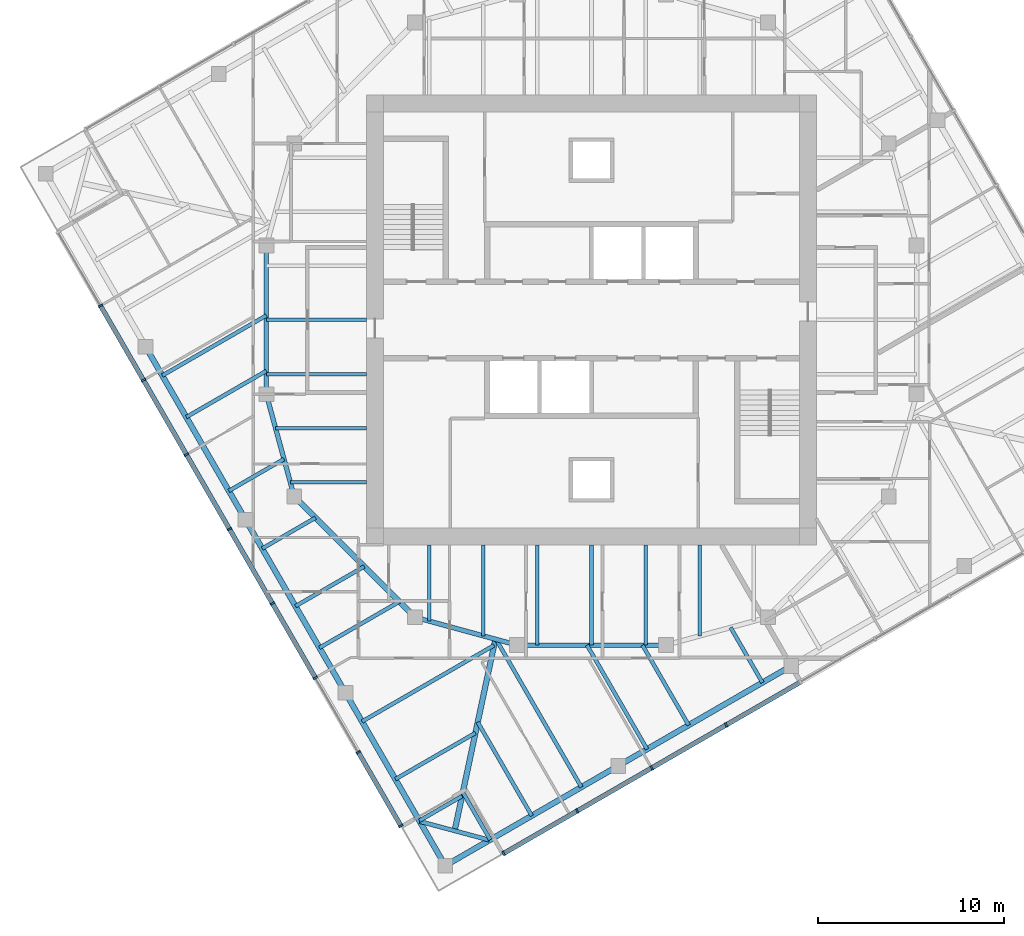
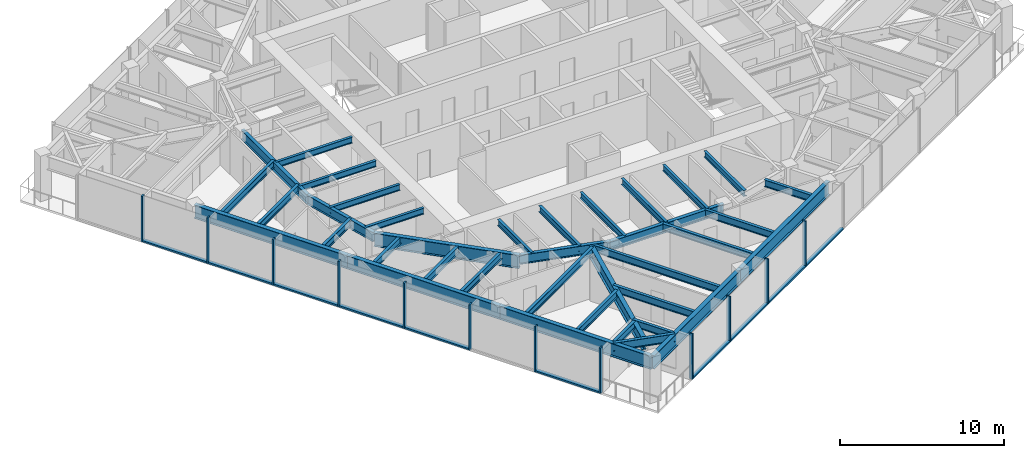
# One storey, part 2 of 13: 37 beams, 22 members, 2 elements without a shape of their own.
"""IFC4 building model written with IfcOpenShell, lengths in metres."""

from ifc_helpers import new_model, si_unit, direction, frame, origin, origin_2d, place, context, subcontext, project, spatial, rectangle, i_section, extrude, material, material_profile, profile_set, type_object, element, aggregate, save


model = new_model("IFC4")

# Units and contexts
model_context = context("Model", 3, precision=1e-05, world=origin(), true_north=direction((0.0, 1.0)))
body_context = subcontext(model_context, "Body", "Model", "MODEL_VIEW")
ifc_project = project(units=[si_unit("LENGTHUNIT", "METRE"), si_unit("AREAUNIT", "SQUARE_METRE"), si_unit("VOLUMEUNIT", "CUBIC_METRE"), si_unit("PLANEANGLEUNIT", "RADIAN"), si_unit("MASSUNIT", "GRAM", prefix="KILO")], contexts=[model_context])

# Site, building, storey
site_placement = place(None, origin())
site = spatial("IfcSite", under=ifc_project, at=site_placement, CompositionType="ELEMENT")
building_placement = place(site_placement, origin())
building = spatial("IfcBuilding", under=site, at=building_placement, Name="Torsade Residences", CompositionType="ELEMENT")
storey_placement = place(building_placement, frame((0.0, 0.0, 228.60009765625)))
storey = spatial("IfcBuildingStorey", under=building, at=storey_placement, Name="L63", CompositionType="ELEMENT", Elevation=228.60009765625)

# Beams
ifc_material_1 = material(Name="Steel grade 300", Category="steel")
ifc_material_profile_1 = material_profile(ifc_material_1, i_section(OverallWidth=0.300048828125, OverallDepth=0.89990234375, WebThickness=0.011962890625, FlangeThickness=0.02490234375, at=origin_2d()), Name="900WB175")
ifc_profile_set_1 = profile_set([ifc_material_profile_1], Name="Steel grade 300")
beam_type_1 = type_object("IfcBeamType", Name="CORNER GIRDER 900WB175", PredefinedType="BEAM", material=ifc_profile_set_1)
beam_1_placement = place(storey_placement, frame((32.6337890625, 2.5087890625, 2.7998046875), z_axis=(0.20806427425, 0.978115155685, 0.0), x_axis=(-0.978115155685, 0.20806427425, 0.0)))
element("IfcBeam", 1, at=beam_1_placement, inside=storey, type_object=beam_type_1, Name="Corner girder 01 L64", PredefinedType="BEAM", context=body_context, shape_type="SweptSolid", body=[
    extrude(i_section(OverallWidth=0.300048828125, OverallDepth=0.89990234375, WebThickness=0.011962890625, FlangeThickness=0.02490234375, at=origin_2d()), origin(), (0.0, 0.0, 1.0), 10.541748046875),
])
ifc_material_2 = material(Name="Steel grade 300", Category="steel")
ifc_material_profile_2 = material_profile(ifc_material_2, i_section(OverallWidth=0.22802734375, OverallDepth=0.60205078125, WebThickness=0.010498046875, FlangeThickness=0.014892578125, FilletRadius=0.013916015625, at=origin_2d()), Name="610UB101")
ifc_profile_set_2 = profile_set([ifc_material_profile_2], Name="Steel grade 300")
beam_type_2 = type_object("IfcBeamType", Name="CORNER TRIMMER 610UB101", PredefinedType="BEAM", material=ifc_profile_set_2)
beam_2_placement = place(storey_placement, frame((34.511962890625, 2.00537109375, 2.948974609375), z_axis=(-0.965924794002, 0.258822897619, 0.0), x_axis=(-0.258822897619, -0.965924794002, 0.0)))
element("IfcBeam", 2, at=beam_2_placement, inside=storey, type_object=beam_type_2, Name="Corner trimmer 01 L64", PredefinedType="BEAM", context=body_context, shape_type="SweptSolid", body=[
    extrude(i_section(OverallWidth=0.22802734375, OverallDepth=0.60205078125, WebThickness=0.010498046875, FlangeThickness=0.014892578125, FilletRadius=0.013916015625, at=origin_2d()), origin(), (0.0, 0.0, 1.0), 3.88916015625),
])
ifc_material_3 = material(Name="Steel grade 300", Category="steel")
ifc_material_profile_3 = material_profile(ifc_material_3, i_section(OverallWidth=0.300048828125, OverallDepth=1.0, WebThickness=0.01611328125, FlangeThickness=0.028076171875, at=origin_2d()), Name="1000WB215")
ifc_profile_set_3 = profile_set([ifc_material_profile_3], Name="Steel grade 300")
beam_type_3 = type_object("IfcBeamType", Name="EDGE BEAM 1000WB215", PredefinedType="SPANDREL", material=ifc_profile_set_3)
for number, where, z_axis, x_axis, name in (
    (3, (32.13037109375, 0.63037109375, 2.75), (0.866026365697, 0.499998333915, 0.0), (-0.499998333915, 0.866026365697, 0.0), "Edge beam 01 L64"),
    (4, (41.440185546875, 6.00537109375, 2.75), (0.866026365697, 0.499998333915, 0.0), (-0.499998333915, 0.866026365697, 0.0), "Edge beam 02 L64"),
    (5, (16.00537109375, 28.559814453125, 2.75), (0.499998333915, -0.866026365697, 0.0), (0.866026365697, 0.499998333915, 0.0), "Edge beam 14 L64"),
    (6, (21.38037109375, 19.25, 2.75), (0.499998333915, -0.866026365697, 0.0), (0.866026365697, 0.499998333915, 0.0), "Edge beam 15 L64"),
    (7, (26.75537109375, 9.940185546875, 2.75), (0.499998333915, -0.866026365697, 0.0), (0.866026365697, 0.499998333915, 0.0), "Edge beam 16 L64"),
):
    element("IfcBeam", number, at=place(storey_placement, frame(where, z_axis=z_axis, x_axis=x_axis)), inside=storey, type_object=beam_type_3, Name=name, PredefinedType="SPANDREL", context=body_context, shape_type="SweptSolid", body=[
        extrude(i_section(OverallWidth=0.300048828125, OverallDepth=1.0, WebThickness=0.01611328125, FlangeThickness=0.028076171875, at=origin_2d()), origin(), (0.0, 0.0, 1.0), 10.75),
    ])

# Curtain wall, members
ifc_material_4 = material(Name="Aluminium and glass", Category="aluminium")
curtain_wall_type = type_object("IfcCurtainWallType", Name="FRITTED GLASS CURTAIN WALL HIGH ZONE", PredefinedType="NOTDEFINED", material=ifc_material_4)
curtain_wall_1_placement = place(storey_placement, origin())
curtain_wall_1 = element("IfcCurtainWall", 8, at=curtain_wall_1_placement, inside=storey, type_object=curtain_wall_type, Name="Curtain wall L63 face 1", PredefinedType="NOTDEFINED")
ifc_material_5 = material(Name="Aluminium mullion", Category="aluminium")
ifc_material_profile_4 = material_profile(ifc_material_5, rectangle(XDim=0.25, YDim=0.10009765625, at=origin_2d()), Name="HIGH ZONE CURTAIN WALL MULLION 250x100")
ifc_profile_set_4 = profile_set([ifc_material_profile_4], Name="Aluminium mullion")
member_type_1 = type_object("IfcMemberType", Name="HIGH ZONE CURTAIN WALL MULLION 250x100", PredefinedType="MULLION", material=ifc_profile_set_4)
member_1_placement = place(storey_placement, frame((35.271728515625, 1.289306640625, 0.0), z_axis=(0.0, 0.0, 1.0), x_axis=(-0.499999999305, 0.866025404186, 0.0)))
member_1 = element("IfcMember", 9, at=member_1_placement, type_object=member_type_1, Name="Mullion 1", PredefinedType="MULLION", context=body_context, shape_type="SweptSolid", body=[
    extrude(rectangle(XDim=0.25, YDim=0.10009765625, at=origin_2d()), origin(), (0.0, 0.0, 1.0), 3.39990234375),
])
member_2_placement = place(storey_placement, frame((39.23388671875, 3.576904296875, 0.0), z_axis=(0.0, 0.0, 1.0), x_axis=(-0.499999999305, 0.866025404186, 0.0)))
member_2 = element("IfcMember", 10, at=member_2_placement, type_object=member_type_1, Name="Mullion 2", PredefinedType="MULLION", context=body_context, shape_type="SweptSolid", body=[
    extrude(rectangle(XDim=0.25, YDim=0.10009765625, at=origin_2d()), origin(), (0.0, 0.0, 1.0), 3.39990234375),
])
member_3_placement = place(storey_placement, frame((43.2392578125, 5.889404296875, 0.0), z_axis=(0.0, 0.0, 1.0), x_axis=(-0.499999999305, 0.866025404186, 0.0)))
member_3 = element("IfcMember", 11, at=member_3_placement, type_object=member_type_1, Name="Mullion 3", PredefinedType="MULLION", context=body_context, shape_type="SweptSolid", body=[
    extrude(rectangle(XDim=0.25, YDim=0.10009765625, at=origin_2d()), origin(), (0.0, 0.0, 1.0), 3.39990234375),
])
member_4_placement = place(storey_placement, frame((47.24462890625, 8.201904296875, 0.0), z_axis=(0.0, 0.0, 1.0), x_axis=(-0.499999999305, 0.866025404186, 0.0)))
member_4 = element("IfcMember", 12, at=member_4_placement, type_object=member_type_1, Name="Mullion 4", PredefinedType="MULLION", context=body_context, shape_type="SweptSolid", body=[
    extrude(rectangle(XDim=0.25, YDim=0.10009765625, at=origin_2d()), origin(), (0.0, 0.0, 1.0), 3.39990234375),
])

curtain_wall_2_placement = place(storey_placement, origin())
curtain_wall_2 = element("IfcCurtainWall", 13, at=curtain_wall_2_placement, inside=storey, type_object=curtain_wall_type, Name="Curtain wall L63 face 10", PredefinedType="NOTDEFINED")
member_5_placement = place(storey_placement, frame((13.576904296875, 30.76611328125, 0.0), z_axis=(0.0, 0.0, 1.0), x_axis=(0.866025404186, 0.499999999305, 0.0)))
member_5 = element("IfcMember", 14, at=member_5_placement, type_object=member_type_1, Name="Mullion 2", PredefinedType="MULLION", context=body_context, shape_type="SweptSolid", body=[
    extrude(rectangle(XDim=0.25, YDim=0.10009765625, at=origin_2d()), origin(), (0.0, 0.0, 1.0), 3.39990234375),
])
member_6_placement = place(storey_placement, frame((15.889404296875, 26.7607421875, 0.0), z_axis=(0.0, 0.0, 1.0), x_axis=(0.866025404186, 0.499999999305, 0.0)))
member_6 = element("IfcMember", 15, at=member_6_placement, type_object=member_type_1, Name="Mullion 3", PredefinedType="MULLION", context=body_context, shape_type="SweptSolid", body=[
    extrude(rectangle(XDim=0.25, YDim=0.10009765625, at=origin_2d()), origin(), (0.0, 0.0, 1.0), 3.39990234375),
])
member_7_placement = place(storey_placement, frame((18.201904296875, 22.75537109375, 0.0), z_axis=(0.0, 0.0, 1.0), x_axis=(0.866025404186, 0.499999999305, 0.0)))
member_7 = element("IfcMember", 16, at=member_7_placement, type_object=member_type_1, Name="Mullion 4", PredefinedType="MULLION", context=body_context, shape_type="SweptSolid", body=[
    extrude(rectangle(XDim=0.25, YDim=0.10009765625, at=origin_2d()), origin(), (0.0, 0.0, 1.0), 3.39990234375),
])
member_8_placement = place(storey_placement, frame((20.514404296875, 18.75, 0.0), z_axis=(0.0, 0.0, 1.0), x_axis=(0.866025404186, 0.499999999305, 0.0)))
member_8 = element("IfcMember", 17, at=member_8_placement, type_object=member_type_1, Name="Mullion 5", PredefinedType="MULLION", context=body_context, shape_type="SweptSolid", body=[
    extrude(rectangle(XDim=0.25, YDim=0.10009765625, at=origin_2d()), origin(), (0.0, 0.0, 1.0), 3.39990234375),
])
member_9_placement = place(storey_placement, frame((22.826904296875, 14.74462890625, 0.0), z_axis=(0.0, 0.0, 1.0), x_axis=(0.866025404186, 0.499999999305, 0.0)))
member_9 = element("IfcMember", 18, at=member_9_placement, type_object=member_type_1, Name="Mullion 6", PredefinedType="MULLION", context=body_context, shape_type="SweptSolid", body=[
    extrude(rectangle(XDim=0.25, YDim=0.10009765625, at=origin_2d()), origin(), (0.0, 0.0, 1.0), 3.39990234375),
])
member_10_placement = place(storey_placement, frame((25.139404296875, 10.7392578125, 0.0), z_axis=(0.0, 0.0, 1.0), x_axis=(0.866025404186, 0.499999999305, 0.0)))
member_10 = element("IfcMember", 19, at=member_10_placement, type_object=member_type_1, Name="Mullion 7", PredefinedType="MULLION", context=body_context, shape_type="SweptSolid", body=[
    extrude(rectangle(XDim=0.25, YDim=0.10009765625, at=origin_2d()), origin(), (0.0, 0.0, 1.0), 3.39990234375),
])
member_11_placement = place(storey_placement, frame((27.451904296875, 6.73388671875, 0.0), z_axis=(0.0, 0.0, 1.0), x_axis=(0.866025404186, 0.499999999305, 0.0)))
member_11 = element("IfcMember", 20, at=member_11_placement, type_object=member_type_1, Name="Mullion 8", PredefinedType="MULLION", context=body_context, shape_type="SweptSolid", body=[
    extrude(rectangle(XDim=0.25, YDim=0.10009765625, at=origin_2d()), origin(), (0.0, 0.0, 1.0), 3.39990234375),
])
member_12_placement = place(storey_placement, frame((29.739501953125, 2.771728515625, 0.0), z_axis=(0.0, 0.0, 1.0), x_axis=(0.866025404186, 0.499999999305, 0.0)))
member_12 = element("IfcMember", 21, at=member_12_placement, type_object=member_type_1, Name="Mullion 9", PredefinedType="MULLION", context=body_context, shape_type="SweptSolid", body=[
    extrude(rectangle(XDim=0.25, YDim=0.10009765625, at=origin_2d()), origin(), (0.0, 0.0, 1.0), 3.39990234375),
])

# Member
ifc_material_6 = material(Name="Aluminium transom", Category="aluminium")
ifc_material_profile_5 = material_profile(ifc_material_6, rectangle(XDim=0.25, YDim=0.1201171875, at=origin_2d()), Name="HIGH ZONE CURTAIN WALL TRANSOM 250x120")
ifc_profile_set_5 = profile_set([ifc_material_profile_5], Name="Aluminium transom")
member_type_2 = type_object("IfcMemberType", Name="HIGH ZONE CURTAIN WALL TRANSOM 250x120", PredefinedType="USERDEFINED", material=ifc_profile_set_5)
member_13_placement = place(storey_placement, frame((35.315185546875, 1.314453125, 0.059814453125), z_axis=(0.866022053326, 0.50000580312, 0.0), x_axis=(-0.50000580312, 0.866022053326, 0.0)))
member_13 = element("IfcMember", 22, at=member_13_placement, type_object=member_type_2, Name="Transom 1.1", ObjectType="TRANSOM", PredefinedType="USERDEFINED", context=body_context, shape_type="SweptSolid", body=[
    extrude(rectangle(XDim=0.25, YDim=0.1201171875, at=origin_2d()), origin(), (0.0, 0.0, 1.0), 4.47509765625),
])

member_14_placement = place(storey_placement, frame((39.277099609375, 3.601806640625, 0.059814453125), z_axis=(0.866016678684, 0.500015112013, 0.0), x_axis=(-0.500015112013, 0.866016678684, 0.0)))
member_14 = element("IfcMember", 23, at=member_14_placement, type_object=member_type_2, Name="Transom 2.1", ObjectType="TRANSOM", PredefinedType="USERDEFINED", context=body_context, shape_type="SweptSolid", body=[
    extrude(rectangle(XDim=0.25, YDim=0.1201171875, at=origin_2d()), origin(), (0.0, 0.0, 1.0), 4.525146484375),
])

member_15_placement = place(storey_placement, frame((43.282470703125, 5.914306640625, 0.059814453125), z_axis=(0.866016678684, 0.500015112013, 0.0), x_axis=(-0.500015112013, 0.866016678684, 0.0)))
member_15 = element("IfcMember", 24, at=member_15_placement, type_object=member_type_2, Name="Transom 3.1", ObjectType="TRANSOM", PredefinedType="USERDEFINED", context=body_context, shape_type="SweptSolid", body=[
    extrude(rectangle(XDim=0.25, YDim=0.1201171875, at=origin_2d()), origin(), (0.0, 0.0, 1.0), 4.525146484375),
])

member_16_placement = place(storey_placement, frame((47.287841796875, 8.226806640625, 0.059814453125), z_axis=(0.866016678684, 0.500015112013, 0.0), x_axis=(-0.500015112013, 0.866016678684, 0.0)))
member_16 = element("IfcMember", 25, at=member_16_placement, type_object=member_type_2, Name="Transom 4.1", ObjectType="TRANSOM", PredefinedType="USERDEFINED", context=body_context, shape_type="SweptSolid", body=[
    extrude(rectangle(XDim=0.25, YDim=0.1201171875, at=origin_2d()), origin(), (0.0, 0.0, 1.0), 4.525146484375),
])

aggregate(curtain_wall_1, [member_1, member_2, member_3, member_4, member_13, member_14, member_15, member_16])

member_17_placement = place(storey_placement, frame((13.601806640625, 30.722900390625, 0.059814453125), z_axis=(0.500015112013, -0.866016678684, 0.0), x_axis=(0.866016678684, 0.500015112013, 0.0)))
member_17 = element("IfcMember", 26, at=member_17_placement, type_object=member_type_2, Name="Transom 2.1", ObjectType="TRANSOM", PredefinedType="USERDEFINED", context=body_context, shape_type="SweptSolid", body=[
    extrude(rectangle(XDim=0.25, YDim=0.1201171875, at=origin_2d()), origin(), (0.0, 0.0, 1.0), 4.525146484375),
])

member_18_placement = place(storey_placement, frame((15.914306640625, 26.717529296875, 0.059814453125), z_axis=(0.500015112013, -0.866016678684, 0.0), x_axis=(0.866016678684, 0.500015112013, 0.0)))
member_18 = element("IfcMember", 27, at=member_18_placement, type_object=member_type_2, Name="Transom 3.1", ObjectType="TRANSOM", PredefinedType="USERDEFINED", context=body_context, shape_type="SweptSolid", body=[
    extrude(rectangle(XDim=0.25, YDim=0.1201171875, at=origin_2d()), origin(), (0.0, 0.0, 1.0), 4.525146484375),
])

member_19_placement = place(storey_placement, frame((18.226806640625, 22.712158203125, 0.059814453125), z_axis=(0.500015112013, -0.866016678684, 0.0), x_axis=(0.866016678684, 0.500015112013, 0.0)))
member_19 = element("IfcMember", 28, at=member_19_placement, type_object=member_type_2, Name="Transom 4.1", ObjectType="TRANSOM", PredefinedType="USERDEFINED", context=body_context, shape_type="SweptSolid", body=[
    extrude(rectangle(XDim=0.25, YDim=0.1201171875, at=origin_2d()), origin(), (0.0, 0.0, 1.0), 4.525146484375),
])

member_20_placement = place(storey_placement, frame((20.539306640625, 18.706787109375, 0.059814453125), z_axis=(0.500015112013, -0.866016678684, 0.0), x_axis=(0.866016678684, 0.500015112013, 0.0)))
member_20 = element("IfcMember", 29, at=member_20_placement, type_object=member_type_2, Name="Transom 5.1", ObjectType="TRANSOM", PredefinedType="USERDEFINED", context=body_context, shape_type="SweptSolid", body=[
    extrude(rectangle(XDim=0.25, YDim=0.1201171875, at=origin_2d()), origin(), (0.0, 0.0, 1.0), 4.525146484375),
])

member_21_placement = place(storey_placement, frame((22.851806640625, 14.701416015625, 0.059814453125), z_axis=(0.500015112013, -0.866016678684, 0.0), x_axis=(0.866016678684, 0.500015112013, 0.0)))
member_21 = element("IfcMember", 30, at=member_21_placement, type_object=member_type_2, Name="Transom 6.1", ObjectType="TRANSOM", PredefinedType="USERDEFINED", context=body_context, shape_type="SweptSolid", body=[
    extrude(rectangle(XDim=0.25, YDim=0.1201171875, at=origin_2d()), origin(), (0.0, 0.0, 1.0), 4.525146484375),
])

member_22_placement = place(storey_placement, frame((27.476806640625, 6.690673828125, 0.059814453125), z_axis=(0.50000580312, -0.866022053326, 0.0), x_axis=(0.866022053326, 0.50000580312, 0.0)))
member_22 = element("IfcMember", 31, at=member_22_placement, type_object=member_type_2, Name="Transom 8.1", ObjectType="TRANSOM", PredefinedType="USERDEFINED", context=body_context, shape_type="SweptSolid", body=[
    extrude(rectangle(XDim=0.25, YDim=0.1201171875, at=origin_2d()), origin(), (0.0, 0.0, 1.0), 4.47509765625),
])

aggregate(curtain_wall_2, [member_5, member_6, member_7, member_8, member_9, member_10, member_11, member_12, member_17, member_18, member_19, member_20, member_21, member_22])

# Beams
ifc_material_7 = material(Name="Steel grade 300", Category="steel")
ifc_material_profile_6 = material_profile(ifc_material_7, i_section(OverallWidth=0.18994140625, OverallDepth=0.4541015625, WebThickness=0.008544921875, FlangeThickness=0.0126953125, FilletRadius=0.011474609375, at=origin_2d()), Name="460UB67.1")
ifc_profile_set_6 = profile_set([ifc_material_profile_6], Name="Steel grade 300")
beam_type_4 = type_object("IfcBeamType", Name="INNER FLOOR BEAM 460UB67.1", PredefinedType="JOIST", material=ifc_profile_set_6)
beam_3_placement = place(storey_placement, frame((45.824951171875, 17.89990234375, 3.02294921875), z_axis=(0.0, -1.0, 0.0), x_axis=(1.0, 0.0, 0.0)))
element("IfcBeam", 32, at=beam_3_placement, inside=storey, type_object=beam_type_4, Name="Inner floor beam IS02 L64", PredefinedType="JOIST", context=body_context, shape_type="SweptSolid", body=[
    extrude(i_section(OverallWidth=0.18994140625, OverallDepth=0.4541015625, WebThickness=0.008544921875, FlangeThickness=0.0126953125, FilletRadius=0.011474609375, at=origin_2d()), origin(), (0.0, 0.0, 1.0), 4.902099609375),
])
for number, where, z_axis, x_axis, name in (
    (33, (42.91259765625, 17.89990234375, 3.02294921875), (0.0, -1.0, 0.0), (1.0, 0.0, 0.0), "Inner floor beam IS03 L64"),
    (34, (40.0, 17.89990234375, 3.02294921875), (0.0, -1.0, 0.0), (1.0, 0.0, 0.0), "Inner floor beam IS04 L64"),
    (35, (37.08740234375, 17.89990234375, 3.02294921875), (0.0, -1.0, 0.0), (1.0, 0.0, 0.0), "Inner floor beam IS05 L64"),
):
    element("IfcBeam", number, at=place(storey_placement, frame(where, z_axis=z_axis, x_axis=x_axis)), inside=storey, type_object=beam_type_4, Name=name, PredefinedType="JOIST", context=body_context, shape_type="SweptSolid", body=[
        extrude(i_section(OverallWidth=0.18994140625, OverallDepth=0.4541015625, WebThickness=0.008544921875, FlangeThickness=0.0126953125, FilletRadius=0.011474609375, at=origin_2d()), origin(), (0.0, 0.0, 1.0), 5.39990234375),
    ])
beam_4_placement = place(storey_placement, frame((34.175048828125, 17.89990234375, 3.02294921875), z_axis=(0.0, -1.0, 0.0), x_axis=(1.0, 0.0, 0.0)))
element("IfcBeam", 36, at=beam_4_placement, inside=storey, type_object=beam_type_4, Name="Inner floor beam IS06 L64", PredefinedType="JOIST", context=body_context, shape_type="SweptSolid", body=[
    extrude(i_section(OverallWidth=0.18994140625, OverallDepth=0.4541015625, WebThickness=0.008544921875, FlangeThickness=0.0126953125, FilletRadius=0.011474609375, at=origin_2d()), origin(), (0.0, 0.0, 1.0), 4.902099609375),
])
beam_5_placement = place(storey_placement, frame((31.262451171875, 17.89990234375, 3.02294921875), z_axis=(0.0, -1.0, 0.0), x_axis=(1.0, 0.0, 0.0)))
element("IfcBeam", 37, at=beam_5_placement, inside=storey, type_object=beam_type_4, Name="Inner floor beam IS07 L64", PredefinedType="JOIST", context=body_context, shape_type="SweptSolid", body=[
    extrude(i_section(OverallWidth=0.18994140625, OverallDepth=0.4541015625, WebThickness=0.008544921875, FlangeThickness=0.0126953125, FilletRadius=0.011474609375, at=origin_2d()), origin(), (0.0, 0.0, 1.0), 4.10791015625),
])
for number, where, z_axis, x_axis, name in (
    (38, (27.89990234375, 30.0, 3.02294921875), (-1.0, 0.0, 0.0), (0.0, -1.0, 0.0), "Inner floor beam IW04 L64"),
    (39, (27.89990234375, 27.08740234375, 3.02294921875), (-1.0, 0.0, 0.0), (0.0, -1.0, 0.0), "Inner floor beam IW05 L64"),
):
    element("IfcBeam", number, at=place(storey_placement, frame(where, z_axis=z_axis, x_axis=x_axis)), inside=storey, type_object=beam_type_4, Name=name, PredefinedType="JOIST", context=body_context, shape_type="SweptSolid", body=[
        extrude(i_section(OverallWidth=0.18994140625, OverallDepth=0.4541015625, WebThickness=0.008544921875, FlangeThickness=0.0126953125, FilletRadius=0.011474609375, at=origin_2d()), origin(), (0.0, 0.0, 1.0), 5.39990234375),
    ])
beam_6_placement = place(storey_placement, frame((27.89990234375, 24.175048828125, 3.02294921875), z_axis=(-1.0, 0.0, 0.0), x_axis=(0.0, -1.0, 0.0)))
element("IfcBeam", 40, at=beam_6_placement, inside=storey, type_object=beam_type_4, Name="Inner floor beam IW06 L64", PredefinedType="JOIST", context=body_context, shape_type="SweptSolid", body=[
    extrude(i_section(OverallWidth=0.18994140625, OverallDepth=0.4541015625, WebThickness=0.008544921875, FlangeThickness=0.0126953125, FilletRadius=0.011474609375, at=origin_2d()), origin(), (0.0, 0.0, 1.0), 4.902099609375),
])
beam_7_placement = place(storey_placement, frame((27.89990234375, 21.262451171875, 3.02294921875), z_axis=(-1.0, 0.0, 0.0), x_axis=(0.0, -1.0, 0.0)))
element("IfcBeam", 41, at=beam_7_placement, inside=storey, type_object=beam_type_4, Name="Inner floor beam IW07 L64", PredefinedType="JOIST", context=body_context, shape_type="SweptSolid", body=[
    extrude(i_section(OverallWidth=0.18994140625, OverallDepth=0.4541015625, WebThickness=0.008544921875, FlangeThickness=0.0126953125, FilletRadius=0.011474609375, at=origin_2d()), origin(), (0.0, 0.0, 1.0), 4.10791015625),
])
ifc_material_8 = material(Name="Steel grade 300", Category="steel")
ifc_material_profile_7 = material_profile(ifc_material_8, i_section(OverallWidth=0.300048828125, OverallDepth=1.0, WebThickness=0.01611328125, FlangeThickness=0.028076171875, at=origin_2d()), Name="1000WB215")
ifc_profile_set_7 = profile_set([ifc_material_profile_7], Name="Steel grade 300")
beam_type_5 = type_object("IfcBeamType", Name="RING CORNER GIRDER 1000WB215", PredefinedType="BEAM", material=ifc_profile_set_7)
beam_8_placement = place(storey_placement, frame((24.0, 20.5, 2.75), z_axis=(0.707106781187, -0.707106781187, 0.0), x_axis=(0.707106781187, 0.707106781187, 0.0)))
element("IfcBeam", 42, at=beam_8_placement, inside=storey, type_object=beam_type_5, Name="Ring girder IR11 L64", PredefinedType="BEAM", context=body_context, shape_type="SweptSolid", body=[
    extrude(i_section(OverallWidth=0.300048828125, OverallDepth=1.0, WebThickness=0.01611328125, FlangeThickness=0.028076171875, at=origin_2d()), origin(), (0.0, 0.0, 1.0), 9.1923828125),
])
ifc_material_9 = material(Name="Steel grade 300", Category="steel")
ifc_material_profile_8 = material_profile(ifc_material_9, i_section(OverallWidth=0.25, OverallDepth=0.699951171875, WebThickness=0.010009765625, FlangeThickness=0.02001953125, at=origin_2d()), Name="700WB130")
ifc_profile_set_8 = profile_set([ifc_material_profile_8], Name="Steel grade 300")
beam_type_6 = type_object("IfcBeamType", Name="RING GIRDER 700WB130", PredefinedType="BEAM", material=ifc_profile_set_8)
beam_9_placement = place(storey_placement, frame((22.5, 34.0, 2.89990234375), z_axis=(0.0, -1.0, 0.0), x_axis=(1.0, 0.0, 0.0)))
element("IfcBeam", 43, at=beam_9_placement, inside=storey, type_object=beam_type_6, Name="Ring girder IR09 L64", PredefinedType="BEAM", context=body_context, shape_type="SweptSolid", body=[
    extrude(i_section(OverallWidth=0.25, OverallDepth=0.699951171875, WebThickness=0.010009765625, FlangeThickness=0.02001953125, at=origin_2d()), origin(), (0.0, 0.0, 1.0), 8.0),
])
for number, where, z_axis, x_axis, name in (
    (44, (22.5, 26.0, 2.89990234375), (0.263117405792, -0.964763821238, 0.0), (0.964763821238, 0.263117405792, 0.0), "Ring girder IR10 L64"),
    (45, (30.5, 14.0, 2.89990234375), (0.964763821238, -0.263117405792, 0.0), (0.263117405792, 0.964763821238, 0.0), "Ring girder IR12 L64"),
):
    element("IfcBeam", number, at=place(storey_placement, frame(where, z_axis=z_axis, x_axis=x_axis)), inside=storey, type_object=beam_type_6, Name=name, PredefinedType="BEAM", context=body_context, shape_type="SweptSolid", body=[
        extrude(i_section(OverallWidth=0.25, OverallDepth=0.699951171875, WebThickness=0.010009765625, FlangeThickness=0.02001953125, at=origin_2d()), origin(), (0.0, 0.0, 1.0), 5.700927734375),
    ])
beam_10_placement = place(storey_placement, frame((36.0, 12.5, 2.89990234375), z_axis=(1.0, 0.0, 0.0), x_axis=(0.0, 1.0, 0.0)))
element("IfcBeam", 46, at=beam_10_placement, inside=storey, type_object=beam_type_6, Name="Ring girder IR13 L64", PredefinedType="BEAM", context=body_context, shape_type="SweptSolid", body=[
    extrude(i_section(OverallWidth=0.25, OverallDepth=0.699951171875, WebThickness=0.010009765625, FlangeThickness=0.02001953125, at=origin_2d()), origin(), (0.0, 0.0, 1.0), 8.0),
])
ifc_material_10 = material(Name="Steel grade 300", Category="steel")
ifc_material_profile_9 = material_profile(ifc_material_10, i_section(OverallWidth=0.208984375, OverallDepth=0.528076171875, WebThickness=0.009521484375, FlangeThickness=0.01318359375, FilletRadius=0.013916015625, at=origin_2d()), Name="530UB82.0")
ifc_profile_set_9 = profile_set([ifc_material_profile_9], Name="Steel grade 300")
beam_type_7 = type_object("IfcBeamType", Name="SECONDARY BEAM 530UB82.0", PredefinedType="JOIST", material=ifc_profile_set_9)
beam_11_placement = place(storey_placement, frame((34.548095703125, 2.0263671875, 2.98583984375), z_axis=(-0.500014013, 0.866017313224, 0.0), x_axis=(-0.866017313224, -0.500014013, 0.0)))
element("IfcBeam", 47, at=beam_11_placement, inside=storey, type_object=beam_type_7, Name="Floor beam FS01 L64", PredefinedType="JOIST", context=body_context, shape_type="SweptSolid", body=[
    extrude(i_section(OverallWidth=0.208984375, OverallDepth=0.528076171875, WebThickness=0.009521484375, FlangeThickness=0.01318359375, FilletRadius=0.013916015625, at=origin_2d()), origin(), (0.0, 0.0, 1.0), 2.94775390625),
])
beam_12_placement = place(storey_placement, frame((36.785400390625, 3.31787109375, 2.98583984375), z_axis=(-0.499990133118, 0.866031100357, 0.0), x_axis=(-0.866031100357, -0.499990133118, 0.0)))
element("IfcBeam", 48, at=beam_12_placement, inside=storey, type_object=beam_type_7, Name="Floor beam FS02 L64", PredefinedType="JOIST", context=body_context, shape_type="SweptSolid", body=[
    extrude(i_section(OverallWidth=0.208984375, OverallDepth=0.528076171875, WebThickness=0.009521484375, FlangeThickness=0.01318359375, FilletRadius=0.013916015625, at=origin_2d()), origin(), (0.0, 0.0, 1.0), 5.81591796875),
])
beam_13_placement = place(storey_placement, frame((39.45556640625, 4.859619140625, 2.98583984375), z_axis=(-0.500006393711, 0.866021712342, 0.0), x_axis=(-0.866021712342, -0.500006393711, 0.0)))
element("IfcBeam", 49, at=beam_13_placement, inside=storey, type_object=beam_type_7, Name="Floor beam FS03 L64", PredefinedType="JOIST", context=body_context, shape_type="SweptSolid", body=[
    extrude(i_section(OverallWidth=0.208984375, OverallDepth=0.528076171875, WebThickness=0.009521484375, FlangeThickness=0.01318359375, FilletRadius=0.013916015625, at=origin_2d()), origin(), (0.0, 0.0, 1.0), 9.1796875),
])
beam_14_placement = place(storey_placement, frame((42.991943359375, 6.9013671875, 2.98583984375), z_axis=(-0.500005767435, 0.866022073929, 0.0), x_axis=(-0.866022073929, -0.500005767435, 0.0)))
element("IfcBeam", 50, at=beam_14_placement, inside=storey, type_object=beam_type_7, Name="Floor beam FS04 L64", PredefinedType="JOIST", context=body_context, shape_type="SweptSolid", body=[
    extrude(i_section(OverallWidth=0.208984375, OverallDepth=0.528076171875, WebThickness=0.009521484375, FlangeThickness=0.01318359375, FilletRadius=0.013916015625, at=origin_2d()), origin(), (0.0, 0.0, 1.0), 6.46484375),
])
beam_15_placement = place(storey_placement, frame((45.22900390625, 8.19287109375, 2.98583984375), z_axis=(-0.499977414361, 0.866038443216, 0.0), x_axis=(-0.866038443216, -0.499977414361, 0.0)))
element("IfcBeam", 51, at=beam_15_placement, inside=storey, type_object=beam_type_7, Name="Floor beam FS05 L64", PredefinedType="JOIST", context=body_context, shape_type="SweptSolid", body=[
    extrude(i_section(OverallWidth=0.208984375, OverallDepth=0.528076171875, WebThickness=0.009521484375, FlangeThickness=0.01318359375, FilletRadius=0.013916015625, at=origin_2d()), origin(), (0.0, 0.0, 1.0), 4.973388671875),
])
beam_16_placement = place(storey_placement, frame((49.198486328125, 10.484619140625, 2.98583984375), z_axis=(-0.500041249073, 0.866001587311, 0.0), x_axis=(-0.866001587311, -0.500041249073, 0.0)))
element("IfcBeam", 52, at=beam_16_placement, inside=storey, type_object=beam_type_7, Name="Floor beam FS06 L64", PredefinedType="JOIST", context=body_context, shape_type="SweptSolid", body=[
    extrude(i_section(OverallWidth=0.208984375, OverallDepth=0.528076171875, WebThickness=0.009521484375, FlangeThickness=0.01318359375, FilletRadius=0.013916015625, at=origin_2d()), origin(), (0.0, 0.0, 1.0), 3.425048828125),
])
beam_17_placement = place(storey_placement, frame((16.9013671875, 27.008056640625, 2.98583984375), z_axis=(0.866022073929, 0.500005767435, 0.0), x_axis=(-0.500005767435, 0.866022073929, 0.0)))
element("IfcBeam", 53, at=beam_17_placement, inside=storey, type_object=beam_type_7, Name="Floor beam FW04 L64", PredefinedType="JOIST", context=body_context, shape_type="SweptSolid", body=[
    extrude(i_section(OverallWidth=0.208984375, OverallDepth=0.528076171875, WebThickness=0.009521484375, FlangeThickness=0.01318359375, FilletRadius=0.013916015625, at=origin_2d()), origin(), (0.0, 0.0, 1.0), 6.46484375),
])
beam_18_placement = place(storey_placement, frame((18.19287109375, 24.77099609375, 2.98583984375), z_axis=(0.866038443216, 0.499977414361, 0.0), x_axis=(-0.499977414361, 0.866038443216, 0.0)))
element("IfcBeam", 54, at=beam_18_placement, inside=storey, type_object=beam_type_7, Name="Floor beam FW05 L64", PredefinedType="JOIST", context=body_context, shape_type="SweptSolid", body=[
    extrude(i_section(OverallWidth=0.208984375, OverallDepth=0.528076171875, WebThickness=0.009521484375, FlangeThickness=0.01318359375, FilletRadius=0.013916015625, at=origin_2d()), origin(), (0.0, 0.0, 1.0), 4.973388671875),
])
beam_19_placement = place(storey_placement, frame((20.484619140625, 20.801513671875, 2.98583984375), z_axis=(0.866001587311, 0.500041249073, 0.0), x_axis=(-0.500041249073, 0.866001587311, 0.0)))
element("IfcBeam", 55, at=beam_19_placement, inside=storey, type_object=beam_type_7, Name="Floor beam FW06 L64", PredefinedType="JOIST", context=body_context, shape_type="SweptSolid", body=[
    extrude(i_section(OverallWidth=0.208984375, OverallDepth=0.528076171875, WebThickness=0.009521484375, FlangeThickness=0.01318359375, FilletRadius=0.013916015625, at=origin_2d()), origin(), (0.0, 0.0, 1.0), 3.425048828125),
])
beam_20_placement = place(storey_placement, frame((22.2763671875, 17.698486328125, 2.98583984375), z_axis=(0.866039541186, 0.499975512502, 0.0), x_axis=(-0.499975512502, 0.866039541186, 0.0)))
element("IfcBeam", 56, at=beam_20_placement, inside=storey, type_object=beam_type_7, Name="Floor beam FW07 L64", PredefinedType="JOIST", context=body_context, shape_type="SweptSolid", body=[
    extrude(i_section(OverallWidth=0.208984375, OverallDepth=0.528076171875, WebThickness=0.009521484375, FlangeThickness=0.01318359375, FilletRadius=0.013916015625, at=origin_2d()), origin(), (0.0, 0.0, 1.0), 3.312744140625),
])
beam_21_placement = place(storey_placement, frame((24.06787109375, 14.59521484375, 2.98583984375), z_axis=(0.866022880939, 0.500004369671, 0.0), x_axis=(-0.500004369671, 0.866022880939, 0.0)))
element("IfcBeam", 57, at=beam_21_placement, inside=storey, type_object=beam_type_7, Name="Floor beam FW08 L64", PredefinedType="JOIST", context=body_context, shape_type="SweptSolid", body=[
    extrude(i_section(OverallWidth=0.208984375, OverallDepth=0.528076171875, WebThickness=0.009521484375, FlangeThickness=0.01318359375, FilletRadius=0.013916015625, at=origin_2d()), origin(), (0.0, 0.0, 1.0), 4.27294921875),
])
beam_22_placement = place(storey_placement, frame((25.359619140625, 12.35791015625, 2.98583984375), z_axis=(0.866043933037, 0.49996790502, 0.0), x_axis=(-0.49996790502, 0.866043933037, 0.0)))
element("IfcBeam", 58, at=beam_22_placement, inside=storey, type_object=beam_type_7, Name="Floor beam FW09 L64", PredefinedType="JOIST", context=body_context, shape_type="SweptSolid", body=[
    extrude(i_section(OverallWidth=0.208984375, OverallDepth=0.528076171875, WebThickness=0.009521484375, FlangeThickness=0.01318359375, FilletRadius=0.013916015625, at=origin_2d()), origin(), (0.0, 0.0, 1.0), 4.965087890625),
])
beam_23_placement = place(storey_placement, frame((27.6513671875, 8.388671875, 2.98583984375), z_axis=(0.866030002502, 0.499992034702, 0.0), x_axis=(-0.499992034702, 0.866030002502, 0.0)))
element("IfcBeam", 59, at=beam_23_placement, inside=storey, type_object=beam_type_7, Name="Floor beam FW10 L64", PredefinedType="JOIST", context=body_context, shape_type="SweptSolid", body=[
    extrude(i_section(OverallWidth=0.208984375, OverallDepth=0.528076171875, WebThickness=0.009521484375, FlangeThickness=0.01318359375, FilletRadius=0.013916015625, at=origin_2d()), origin(), (0.0, 0.0, 1.0), 8.205322265625),
])
beam_24_placement = place(storey_placement, frame((29.44287109375, 5.285400390625, 2.98583984375), z_axis=(0.866043477274, 0.499968694491, 0.0), x_axis=(-0.499968694491, 0.866043477274, 0.0)))
element("IfcBeam", 60, at=beam_24_placement, inside=storey, type_object=beam_type_7, Name="Floor beam FW11 L64", PredefinedType="JOIST", context=body_context, shape_type="SweptSolid", body=[
    extrude(i_section(OverallWidth=0.208984375, OverallDepth=0.528076171875, WebThickness=0.009521484375, FlangeThickness=0.01318359375, FilletRadius=0.013916015625, at=origin_2d()), origin(), (0.0, 0.0, 1.0), 4.977783203125),
])
beam_25_placement = place(storey_placement, frame((30.734619140625, 3.048095703125, 2.98583984375), z_axis=(0.866041431316, 0.499972238474, 0.0), x_axis=(-0.499972238474, 0.866041431316, 0.0)))
element("IfcBeam", 61, at=beam_25_placement, inside=storey, type_object=beam_type_7, Name="Floor beam FW12 L64", PredefinedType="JOIST", context=body_context, shape_type="SweptSolid", body=[
    extrude(i_section(OverallWidth=0.208984375, OverallDepth=0.528076171875, WebThickness=0.009521484375, FlangeThickness=0.01318359375, FilletRadius=0.013916015625, at=origin_2d()), origin(), (0.0, 0.0, 1.0), 2.651123046875),
])

save(model, "model.ifc")
